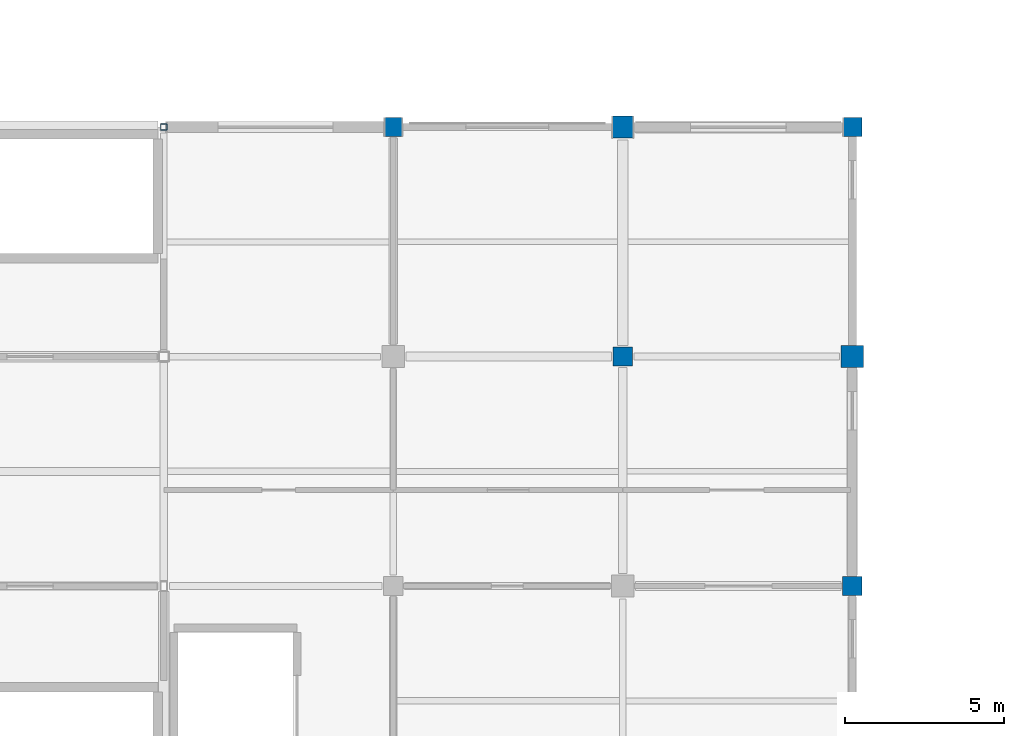
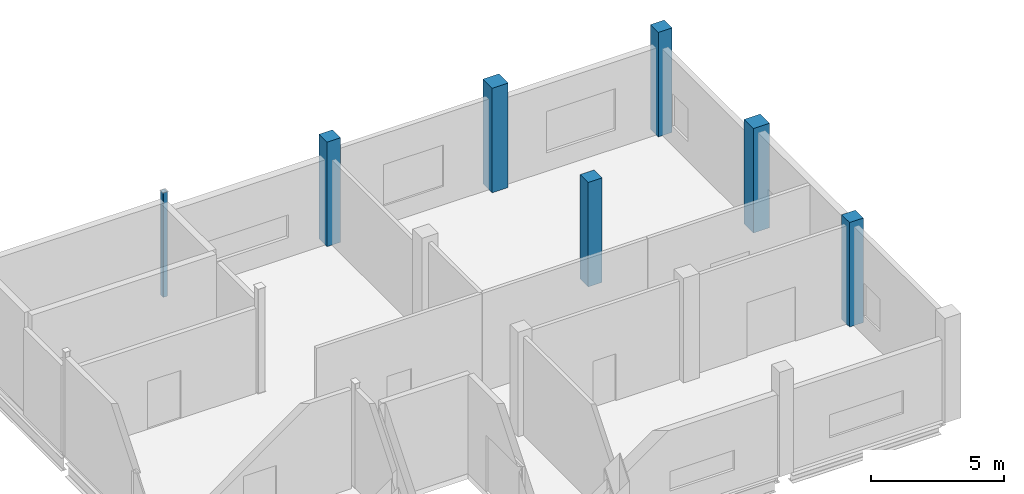
# One storey, part 15 of 72: 7 columns.
"""IFC4 building model written with IfcOpenShell, lengths in metres."""

from ifc_helpers import new_model, si_unit, direction, frame, origin, origin_2d, place, context, subcontext, project, spatial, rectangle, hollow_rectangle, extrude, material, material_profile, profile_set, type_object, element, save


model = new_model("IFC4")

# Units and contexts
model_context = context("Model", 3, precision=1e-05, world=origin(), true_north=direction((0.0, 1.0)))
body_context = subcontext(model_context, "Body", "Model", "MODEL_VIEW")
ifc_project = project(units=[si_unit("LENGTHUNIT", "METRE"), si_unit("AREAUNIT", "SQUARE_METRE"), si_unit("VOLUMEUNIT", "CUBIC_METRE"), si_unit("PLANEANGLEUNIT", "RADIAN"), si_unit("MASSUNIT", "GRAM", prefix="KILO")], contexts=[model_context])

# Site, building, storey
site_placement = place(None, origin())
site = spatial("IfcSite", under=ifc_project, at=site_placement, CompositionType="ELEMENT")
building_placement = place(site_placement, origin())
building = spatial("IfcBuilding", under=site, at=building_placement, Name="Calvrana Isthmian Art Gallery", CompositionType="ELEMENT")
storey_placement = place(building_placement, frame((0.0, 0.0, 15.0)))
storey = spatial("IfcBuildingStorey", under=building, at=storey_placement, Name="L03", CompositionType="ELEMENT", Elevation=15.0)

# Columns
ifc_material_1 = material(Name="Concrete C40/50", Category="concrete")
ifc_material_profile_1 = material_profile(ifc_material_1, rectangle(XDim=0.60009765625, YDim=0.60009765625, at=origin_2d()), Name="RC600X600")
ifc_profile_set_1 = profile_set([ifc_material_profile_1], Name="Concrete C40/50")
column_type_1 = type_object("IfcColumnType", Name="COL-RC-RC600X600", PredefinedType="COLUMN", material=ifc_profile_set_1)
for number, where, z_axis, x_axis, name in (
    (1, (120.0, 98.39990234375, 0.0), (0.0, 0.0, 1.0), (1.0, 0.0, 0.0), "Column 16/N L03"),
    (2, (127.199951171875, 91.199951171875, 0.0), (0.0, 0.0, 1.0), (1.0, 0.0, 0.0), "Column 17/M L03"),
    (3, (134.39990234375, 84.0, 0.0), (0.0, 0.0, 1.0), (1.0, 0.0, 0.0), "Column 18/L L03"),
    (4, (134.39990234375, 98.39990234375, 0.0), (0.0, 0.0, 1.0), (1.0, 0.0, 0.0), "Column 18/N L03"),
):
    element("IfcColumn", number, at=place(storey_placement, frame(where, z_axis=z_axis, x_axis=x_axis)), inside=storey, type_object=column_type_1, Name=name, PredefinedType="COLUMN", context=body_context, shape_type="SweptSolid", body=[
        extrude(rectangle(XDim=0.60009765625, YDim=0.60009765625, at=origin_2d()), origin(), (0.0, 0.0, 1.0), 4.800048828125),
    ])
ifc_material_profile_2 = material_profile(ifc_material_1, rectangle(XDim=0.699951171875, YDim=0.699951171875, at=origin_2d()), Name="RC700X700")
ifc_profile_set_2 = profile_set([ifc_material_profile_2], Name="Concrete C40/50")
column_type_2 = type_object("IfcColumnType", Name="COL-RC-RC700X700", PredefinedType="COLUMN", material=ifc_profile_set_2)
for number, where, z_axis, x_axis, name in (
    (5, (127.199951171875, 98.39990234375, 0.0), (0.0, 0.0, 1.0), (1.0, 0.0, 0.0), "Column 17/N L03"),
    (6, (134.39990234375, 91.199951171875, 0.0), (0.0, 0.0, 1.0), (1.0, 0.0, 0.0), "Column 18/M L03"),
):
    element("IfcColumn", number, at=place(storey_placement, frame(where, z_axis=z_axis, x_axis=x_axis)), inside=storey, type_object=column_type_2, Name=name, PredefinedType="COLUMN", context=body_context, shape_type="SweptSolid", body=[
        extrude(rectangle(XDim=0.699951171875, YDim=0.699951171875, at=origin_2d()), origin(), (0.0, 0.0, 1.0), 4.800048828125),
    ])
ifc_material_2 = material(Name="Steel ASTM A500 Gr C", Category="steel")
ifc_material_profile_3 = material_profile(ifc_material_2, hollow_rectangle(XDim=0.203125, YDim=0.203125, WallThickness=0.0126953125, OuterFilletRadius=0.02490234375, at=origin_2d()), Name="HSS203X203X12.7")
ifc_profile_set_3 = profile_set([ifc_material_profile_3], Name="Steel ASTM A500 Gr C")
column_type_3 = type_object("IfcColumnType", Name="COL-STL-HSS203X203X12.7", PredefinedType="COLUMN", material=ifc_profile_set_3)
column_placement = place(storey_placement, frame((112.800048828125, 98.39990234375, 0.0), z_axis=(0.0, 0.0, 1.0), x_axis=(1.0, 0.0, 0.0)))
element("IfcColumn", 7, at=column_placement, inside=storey, type_object=column_type_3, Name="Column 15/N L03", PredefinedType="COLUMN", context=body_context, shape_type="SweptSolid", body=[
    extrude(hollow_rectangle(XDim=0.203125, YDim=0.203125, WallThickness=0.0126953125, OuterFilletRadius=0.02490234375, at=origin_2d()), origin(), (0.0, 0.0, 1.0), 4.800048828125),
])

save(model, "model.ifc")
